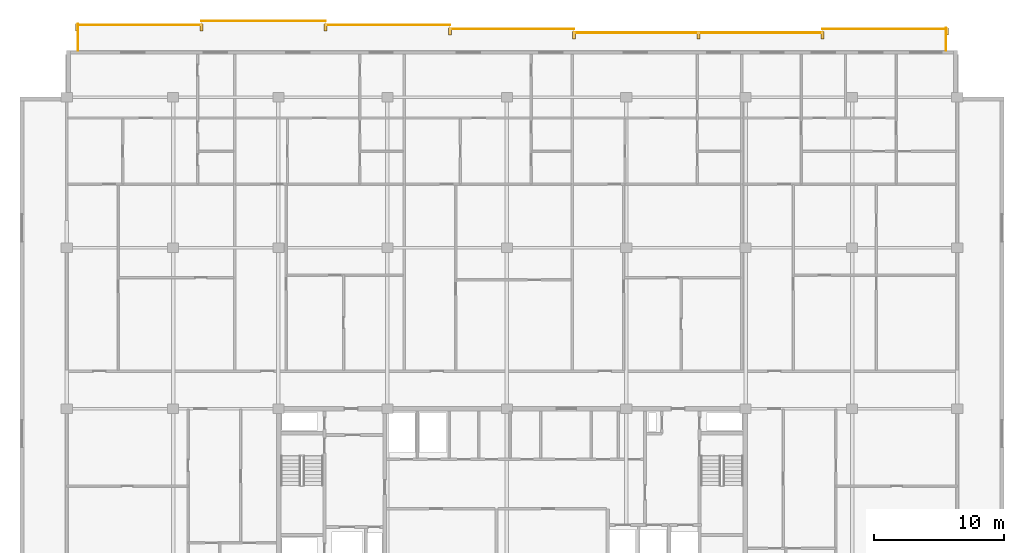
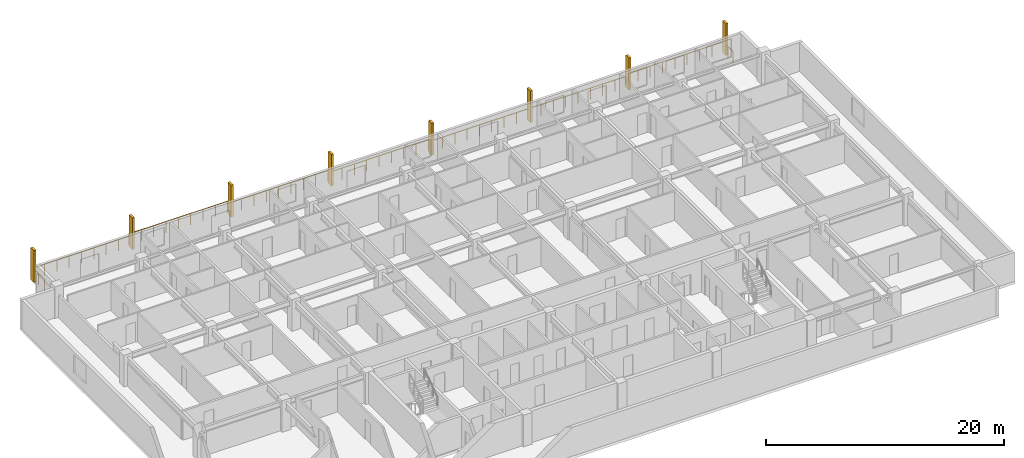
# One storey, part 11 of 11: 8 railings, 8 shading devices.
"""IFC4 building model written with IfcOpenShell, lengths in metres."""

from ifc_helpers import new_model, si_unit, direction, frame, origin, origin_2d, place, context, subcontext, project, spatial, rectangle, circle, extrude, material, type_object, element, save


model = new_model("IFC4")

# Units and contexts
model_context = context("Model", 3, precision=1e-05, world=origin(), true_north=direction((0.0, 1.0)))
body_context = subcontext(model_context, "Body", "Model", "MODEL_VIEW")
ifc_project = project(units=[si_unit("LENGTHUNIT", "METRE"), si_unit("AREAUNIT", "SQUARE_METRE"), si_unit("VOLUMEUNIT", "CUBIC_METRE"), si_unit("PLANEANGLEUNIT", "RADIAN"), si_unit("MASSUNIT", "GRAM", prefix="KILO")], contexts=[model_context])

# Site, building, storey
site_placement = place(None, origin())
site = spatial("IfcSite", under=ifc_project, at=site_placement, CompositionType="ELEMENT")
building_placement = place(site_placement, origin())
building = spatial("IfcBuilding", under=site, at=building_placement, Name="Korimba Cascade Residences", CompositionType="ELEMENT")
storey_placement = place(building_placement, frame((0.0, 0.0, 210.85009765625)))
storey = spatial("IfcBuildingStorey", under=building, at=storey_placement, Name="L61", CompositionType="ELEMENT", Elevation=210.85009765625)

# Railings
ifc_material_1 = material(Name="Laminated Glass and Bronze Balustrade", Category="glass")
railing_type = type_object("IfcRailingType", Name="RLG-LOG-1150", PredefinedType="BALUSTRADE", material=ifc_material_1)
railing_1_placement = place(storey_placement, frame((127.52001953125, 94.800048828125, 0.0)))
element("IfcRailing", 1, at=railing_1_placement, inside=storey, type_object=railing_type, Name="L61 Perimeter Guardrail RLG-L61-T1-LOG-01", PredefinedType="BALUSTRADE", context=body_context, shape_type="SweptSolid", body=[
    extrude(circle(Radius=0.02392578125, at=origin_2d()), frame((0.0, 0.0, 1.1259765625), z_axis=(0.0, 1.0, 0.0), x_axis=(-1.0, 0.0, 0.0)), (0.0, 0.0, 1.0), 1.75),
    extrude(circle(Radius=0.02099609375, at=origin_2d()), origin(), (0.0, 0.0, 1.0), 1.101806640625),
    extrude(circle(Radius=0.02099609375, at=origin_2d()), frame((0.0, 0.875, 0.0)), (0.0, 0.0, 1.0), 1.101806640625),
    extrude(circle(Radius=0.02099609375, at=origin_2d()), frame((0.0, 1.75, 0.0)), (0.0, 0.0, 1.0), 1.101806640625),
])
railing_2_placement = place(storey_placement, frame((127.60009765625, 96.469970703125, 0.0)))
element("IfcRailing", 2, at=railing_2_placement, inside=storey, type_object=railing_type, Name="L61 Perimeter Guardrail RLG-L61-T1-LOG-02", PredefinedType="BALUSTRADE", context=body_context, shape_type="SweptSolid", body=[
    extrude(circle(Radius=0.02392578125, at=origin_2d()), frame((0.0, 0.0, 1.1259765625), z_axis=(-1.0, 0.0, 0.0), x_axis=(0.0, -1.0, 0.0)), (0.0, 0.0, 1.0), 9.571533203125),
    extrude(circle(Radius=0.02099609375, at=origin_2d()), origin(), (0.0, 0.0, 1.0), 1.101806640625),
    extrude(circle(Radius=0.02099609375, at=origin_2d()), frame((-1.196533203125, 0.0, 0.0)), (0.0, 0.0, 1.0), 1.101806640625),
    extrude(circle(Radius=0.02099609375, at=origin_2d()), frame((-2.392822265625, 0.0, 0.0)), (0.0, 0.0, 1.0), 1.101806640625),
    extrude(circle(Radius=0.02099609375, at=origin_2d()), frame((-3.58935546875, 0.0, 0.0)), (0.0, 0.0, 1.0), 1.101806640625),
    extrude(circle(Radius=0.02099609375, at=origin_2d()), frame((-4.78564453125, 0.0, 0.0)), (0.0, 0.0, 1.0), 1.101806640625),
    extrude(circle(Radius=0.02099609375, at=origin_2d()), frame((-5.982177734375, 0.0, 0.0)), (0.0, 0.0, 1.0), 1.101806640625),
    extrude(circle(Radius=0.02099609375, at=origin_2d()), frame((-7.1787109375, 0.0, 0.0)), (0.0, 0.0, 1.0), 1.101806640625),
    extrude(circle(Radius=0.02099609375, at=origin_2d()), frame((-8.375, 0.0, 0.0)), (0.0, 0.0, 1.0), 1.101806640625),
    extrude(circle(Radius=0.02099609375, at=origin_2d()), frame((-9.571533203125, 0.0, 0.0)), (0.0, 0.0, 1.0), 1.101806640625),
])
railing_3_placement = place(storey_placement, frame((118.028564453125, 96.169921875, 0.0)))
element("IfcRailing", 3, at=railing_3_placement, inside=storey, type_object=railing_type, Name="L61 Perimeter Guardrail RLG-L61-T1-LOG-03", PredefinedType="BALUSTRADE", context=body_context, shape_type="SweptSolid", body=[
    extrude(circle(Radius=0.02392578125, at=origin_2d()), frame((0.0, 0.0, 1.1259765625), z_axis=(-1.0, 0.0, 0.0), x_axis=(0.0, -1.0, 0.0)), (0.0, 0.0, 1.0), 19.142822265625),
    extrude(circle(Radius=0.02099609375, at=origin_2d()), origin(), (0.0, 0.0, 1.0), 1.101806640625),
    extrude(circle(Radius=0.02099609375, at=origin_2d()), frame((-1.196533203125, 0.0, 0.0)), (0.0, 0.0, 1.0), 1.101806640625),
    extrude(circle(Radius=0.02099609375, at=origin_2d()), frame((-2.392822265625, 0.0, 0.0)), (0.0, 0.0, 1.0), 1.101806640625),
    extrude(circle(Radius=0.02099609375, at=origin_2d()), frame((-3.58935546875, 0.0, 0.0)), (0.0, 0.0, 1.0), 1.101806640625),
    extrude(circle(Radius=0.02099609375, at=origin_2d()), frame((-4.78564453125, 0.0, 0.0)), (0.0, 0.0, 1.0), 1.101806640625),
    extrude(circle(Radius=0.02099609375, at=origin_2d()), frame((-5.982177734375, 0.0, 0.0)), (0.0, 0.0, 1.0), 1.101806640625),
    extrude(circle(Radius=0.02099609375, at=origin_2d()), frame((-7.178466796875, 0.0, 0.0)), (0.0, 0.0, 1.0), 1.101806640625),
    extrude(circle(Radius=0.02099609375, at=origin_2d()), frame((-8.375, 0.0, 0.0)), (0.0, 0.0, 1.0), 1.101806640625),
    extrude(circle(Radius=0.02099609375, at=origin_2d()), frame((-9.5712890625, 0.0, 0.0)), (0.0, 0.0, 1.0), 1.101806640625),
    extrude(circle(Radius=0.02099609375, at=origin_2d()), frame((-10.767822265625, 0.0, 0.0)), (0.0, 0.0, 1.0), 1.101806640625),
    extrude(circle(Radius=0.02099609375, at=origin_2d()), frame((-11.96435546875, 0.0, 0.0)), (0.0, 0.0, 1.0), 1.101806640625),
    extrude(circle(Radius=0.02099609375, at=origin_2d()), frame((-13.16064453125, 0.0, 0.0)), (0.0, 0.0, 1.0), 1.101806640625),
    extrude(circle(Radius=0.02099609375, at=origin_2d()), frame((-14.357177734375, 0.0, 0.0)), (0.0, 0.0, 1.0), 1.101806640625),
    extrude(circle(Radius=0.02099609375, at=origin_2d()), frame((-15.553466796875, 0.0, 0.0)), (0.0, 0.0, 1.0), 1.101806640625),
    extrude(circle(Radius=0.02099609375, at=origin_2d()), frame((-16.75, 0.0, 0.0)), (0.0, 0.0, 1.0), 1.101806640625),
    extrude(circle(Radius=0.02099609375, at=origin_2d()), frame((-17.9462890625, 0.0, 0.0)), (0.0, 0.0, 1.0), 1.101806640625),
    extrude(circle(Radius=0.02099609375, at=origin_2d()), frame((-19.142822265625, 0.0, 0.0)), (0.0, 0.0, 1.0), 1.101806640625),
])
railing_4_placement = place(storey_placement, frame((98.8857421875, 96.469970703125, 0.0)))
element("IfcRailing", 4, at=railing_4_placement, inside=storey, type_object=railing_type, Name="L61 Perimeter Guardrail RLG-L61-T1-LOG-04", PredefinedType="BALUSTRADE", context=body_context, shape_type="SweptSolid", body=[
    extrude(circle(Radius=0.02392578125, at=origin_2d()), frame((0.0, 0.0, 1.1259765625), z_axis=(-1.0, 0.0, 0.0), x_axis=(0.0, -1.0, 0.0)), (0.0, 0.0, 1.0), 9.571533203125),
    extrude(circle(Radius=0.02099609375, at=origin_2d()), origin(), (0.0, 0.0, 1.0), 1.101806640625),
    extrude(circle(Radius=0.02099609375, at=origin_2d()), frame((-1.196533203125, 0.0, 0.0)), (0.0, 0.0, 1.0), 1.101806640625),
    extrude(circle(Radius=0.02099609375, at=origin_2d()), frame((-2.392822265625, 0.0, 0.0)), (0.0, 0.0, 1.0), 1.101806640625),
    extrude(circle(Radius=0.02099609375, at=origin_2d()), frame((-3.58935546875, 0.0, 0.0)), (0.0, 0.0, 1.0), 1.101806640625),
    extrude(circle(Radius=0.02099609375, at=origin_2d()), frame((-4.78564453125, 0.0, 0.0)), (0.0, 0.0, 1.0), 1.101806640625),
    extrude(circle(Radius=0.02099609375, at=origin_2d()), frame((-5.982177734375, 0.0, 0.0)), (0.0, 0.0, 1.0), 1.101806640625),
    extrude(circle(Radius=0.02099609375, at=origin_2d()), frame((-7.1787109375, 0.0, 0.0)), (0.0, 0.0, 1.0), 1.101806640625),
    extrude(circle(Radius=0.02099609375, at=origin_2d()), frame((-8.375, 0.0, 0.0)), (0.0, 0.0, 1.0), 1.101806640625),
    extrude(circle(Radius=0.02099609375, at=origin_2d()), frame((-9.571533203125, 0.0, 0.0)), (0.0, 0.0, 1.0), 1.101806640625),
])
railing_5_placement = place(storey_placement, frame((89.314208984375, 96.77001953125, 0.0)))
element("IfcRailing", 5, at=railing_5_placement, inside=storey, type_object=railing_type, Name="L61 Perimeter Guardrail RLG-L61-T1-LOG-05", PredefinedType="BALUSTRADE", context=body_context, shape_type="SweptSolid", body=[
    extrude(circle(Radius=0.02392578125, at=origin_2d()), frame((0.0, 0.0, 1.1259765625), z_axis=(-1.0, 0.0, 0.0), x_axis=(0.0, -1.0, 0.0)), (0.0, 0.0, 1.0), 9.5712890625),
    extrude(circle(Radius=0.02099609375, at=origin_2d()), origin(), (0.0, 0.0, 1.0), 1.101806640625),
    extrude(circle(Radius=0.02099609375, at=origin_2d()), frame((-1.1962890625, 0.0, 0.0)), (0.0, 0.0, 1.0), 1.101806640625),
    extrude(circle(Radius=0.02099609375, at=origin_2d()), frame((-2.392822265625, 0.0, 0.0)), (0.0, 0.0, 1.0), 1.101806640625),
    extrude(circle(Radius=0.02099609375, at=origin_2d()), frame((-3.58935546875, 0.0, 0.0)), (0.0, 0.0, 1.0), 1.101806640625),
    extrude(circle(Radius=0.02099609375, at=origin_2d()), frame((-4.78564453125, 0.0, 0.0)), (0.0, 0.0, 1.0), 1.101806640625),
    extrude(circle(Radius=0.02099609375, at=origin_2d()), frame((-5.98193359375, 0.0, 0.0)), (0.0, 0.0, 1.0), 1.101806640625),
    extrude(circle(Radius=0.02099609375, at=origin_2d()), frame((-7.178466796875, 0.0, 0.0)), (0.0, 0.0, 1.0), 1.101806640625),
    extrude(circle(Radius=0.02099609375, at=origin_2d()), frame((-8.375, 0.0, 0.0)), (0.0, 0.0, 1.0), 1.101806640625),
    extrude(circle(Radius=0.02099609375, at=origin_2d()), frame((-9.5712890625, 0.0, 0.0)), (0.0, 0.0, 1.0), 1.101806640625),
])
railing_6_placement = place(storey_placement, frame((79.742919921875, 97.070068359375, 0.0)))
element("IfcRailing", 6, at=railing_6_placement, inside=storey, type_object=railing_type, Name="L61 Perimeter Guardrail RLG-L61-T1-LOG-06", PredefinedType="BALUSTRADE", context=body_context, shape_type="SweptSolid", body=[
    extrude(circle(Radius=0.02392578125, at=origin_2d()), frame((0.0, 0.0, 1.1259765625), z_axis=(-1.0, 0.0, 0.0), x_axis=(0.0, -1.0, 0.0)), (0.0, 0.0, 1.0), 9.571533203125),
    extrude(circle(Radius=0.02099609375, at=origin_2d()), origin(), (0.0, 0.0, 1.0), 1.101806640625),
    extrude(circle(Radius=0.02099609375, at=origin_2d()), frame((-1.196533203125, 0.0, 0.0)), (0.0, 0.0, 1.0), 1.101806640625),
    extrude(circle(Radius=0.02099609375, at=origin_2d()), frame((-2.392822265625, 0.0, 0.0)), (0.0, 0.0, 1.0), 1.101806640625),
    extrude(circle(Radius=0.02099609375, at=origin_2d()), frame((-3.58935546875, 0.0, 0.0)), (0.0, 0.0, 1.0), 1.101806640625),
    extrude(circle(Radius=0.02099609375, at=origin_2d()), frame((-4.78564453125, 0.0, 0.0)), (0.0, 0.0, 1.0), 1.101806640625),
    extrude(circle(Radius=0.02099609375, at=origin_2d()), frame((-5.982177734375, 0.0, 0.0)), (0.0, 0.0, 1.0), 1.101806640625),
    extrude(circle(Radius=0.02099609375, at=origin_2d()), frame((-7.1787109375, 0.0, 0.0)), (0.0, 0.0, 1.0), 1.101806640625),
    extrude(circle(Radius=0.02099609375, at=origin_2d()), frame((-8.375, 0.0, 0.0)), (0.0, 0.0, 1.0), 1.101806640625),
    extrude(circle(Radius=0.02099609375, at=origin_2d()), frame((-9.571533203125, 0.0, 0.0)), (0.0, 0.0, 1.0), 1.101806640625),
])
railing_7_placement = place(storey_placement, frame((70.17138671875, 96.77001953125, 0.0)))
element("IfcRailing", 7, at=railing_7_placement, inside=storey, type_object=railing_type, Name="L61 Perimeter Guardrail RLG-L61-T1-LOG-07", PredefinedType="BALUSTRADE", context=body_context, shape_type="SweptSolid", body=[
    extrude(circle(Radius=0.02392578125, at=origin_2d()), frame((0.0, 0.0, 1.1259765625), z_axis=(-1.0, 0.0, 0.0), x_axis=(0.0, -1.0, 0.0)), (0.0, 0.0, 1.0), 9.5712890625),
    extrude(circle(Radius=0.02099609375, at=origin_2d()), origin(), (0.0, 0.0, 1.0), 1.101806640625),
    extrude(circle(Radius=0.02099609375, at=origin_2d()), frame((-1.1962890625, 0.0, 0.0)), (0.0, 0.0, 1.0), 1.101806640625),
    extrude(circle(Radius=0.02099609375, at=origin_2d()), frame((-2.392822265625, 0.0, 0.0)), (0.0, 0.0, 1.0), 1.101806640625),
    extrude(circle(Radius=0.02099609375, at=origin_2d()), frame((-3.58935546875, 0.0, 0.0)), (0.0, 0.0, 1.0), 1.101806640625),
    extrude(circle(Radius=0.02099609375, at=origin_2d()), frame((-4.78564453125, 0.0, 0.0)), (0.0, 0.0, 1.0), 1.101806640625),
    extrude(circle(Radius=0.02099609375, at=origin_2d()), frame((-5.98193359375, 0.0, 0.0)), (0.0, 0.0, 1.0), 1.101806640625),
    extrude(circle(Radius=0.02099609375, at=origin_2d()), frame((-7.178466796875, 0.0, 0.0)), (0.0, 0.0, 1.0), 1.101806640625),
    extrude(circle(Radius=0.02099609375, at=origin_2d()), frame((-8.375, 0.0, 0.0)), (0.0, 0.0, 1.0), 1.101806640625),
    extrude(circle(Radius=0.02099609375, at=origin_2d()), frame((-9.5712890625, 0.0, 0.0)), (0.0, 0.0, 1.0), 1.101806640625),
])
railing_8_placement = place(storey_placement, frame((60.679931640625, 96.85009765625, 0.0)))
element("IfcRailing", 8, at=railing_8_placement, inside=storey, type_object=railing_type, Name="L61 Perimeter Guardrail RLG-L61-T1-LOG-08", PredefinedType="BALUSTRADE", context=body_context, shape_type="SweptSolid", body=[
    extrude(circle(Radius=0.02392578125, at=origin_2d()), frame((0.0, 0.0, 1.1259765625), z_axis=(0.0, -1.0, 0.0), x_axis=(1.0, 0.0, 0.0)), (0.0, 0.0, 1.0), 2.050048828125),
    extrude(circle(Radius=0.02099609375, at=origin_2d()), origin(), (0.0, 0.0, 1.0), 1.101806640625),
    extrude(circle(Radius=0.02099609375, at=origin_2d()), frame((0.0, -1.02490234375, 0.0)), (0.0, 0.0, 1.0), 1.101806640625),
    extrude(circle(Radius=0.02099609375, at=origin_2d()), frame((0.0, -2.050048828125, 0.0)), (0.0, 0.0, 1.0), 1.101806640625),
])

# Shading devices
ifc_material_2 = material(Name="Honed Sandstone Precast Fin", Category="masonry")
shading_device_type = type_object("IfcShadingDeviceType", Name="SHD-FIN-550", PredefinedType="USERDEFINED", material=ifc_material_2)
for number, where, z_axis, x_axis, name in (
    (9, (60.60009765625, 96.574951171875, 0.0), (0.0, 0.0, 1.0), (1.0, 0.0, 0.0), "L61 T1 Warm-Stone Loggia Fin 1"),
    (10, (70.17138671875, 96.574951171875, 0.0), (0.0, 0.0, 1.0), (1.0, 0.0, 0.0), "L61 T1 Warm-Stone Loggia Fin 2"),
    (11, (79.742919921875, 96.574951171875, 0.0), (0.0, 0.0, 1.0), (1.0, 0.0, 0.0), "L61 T1 Warm-Stone Loggia Fin 3"),
    (12, (89.314208984375, 96.27490234375, 0.0), (0.0, 0.0, 1.0), (1.0, 0.0, 0.0), "L61 T1 Warm-Stone Loggia Fin 4"),
    (13, (98.8857421875, 95.97509765625, 0.0), (0.0, 0.0, 1.0), (1.0, 0.0, 0.0), "L61 T1 Warm-Stone Loggia Fin 5"),
    (14, (108.45703125, 95.97509765625, 0.0), (0.0, 0.0, 1.0), (1.0, 0.0, 0.0), "L61 T1 Warm-Stone Loggia Fin 6"),
    (15, (118.028564453125, 95.97509765625, 0.0), (0.0, 0.0, 1.0), (1.0, 0.0, 0.0), "L61 T1 Warm-Stone Loggia Fin 7"),
    (16, (127.60009765625, 96.27490234375, 0.0), (0.0, 0.0, 1.0), (1.0, 0.0, 0.0), "L61 T1 Warm-Stone Loggia Fin 8"),
):
    element("IfcShadingDevice", number, at=place(storey_placement, frame(where, z_axis=z_axis, x_axis=x_axis)), inside=storey, type_object=shading_device_type, Name=name, ObjectType="FIN", PredefinedType="USERDEFINED", context=body_context, shape_type="SweptSolid", body=[
        extrude(rectangle(XDim=0.219970703125, YDim=0.550048828125, at=origin_2d()), origin(), (0.0, 0.0, 1.0), 3.25),
    ])

save(model, "model.ifc")
